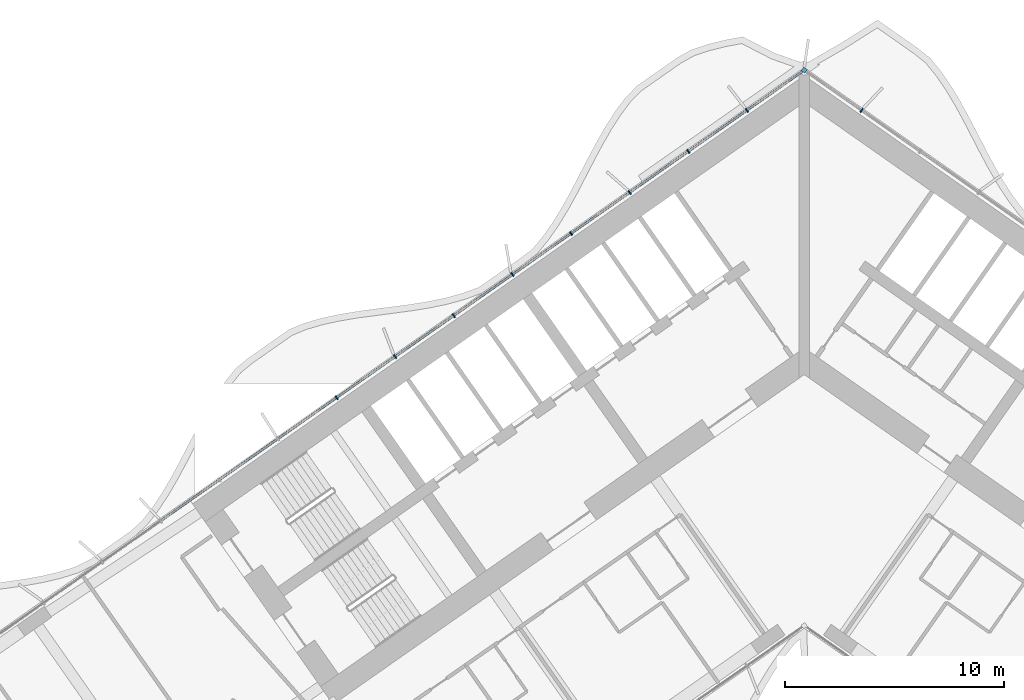
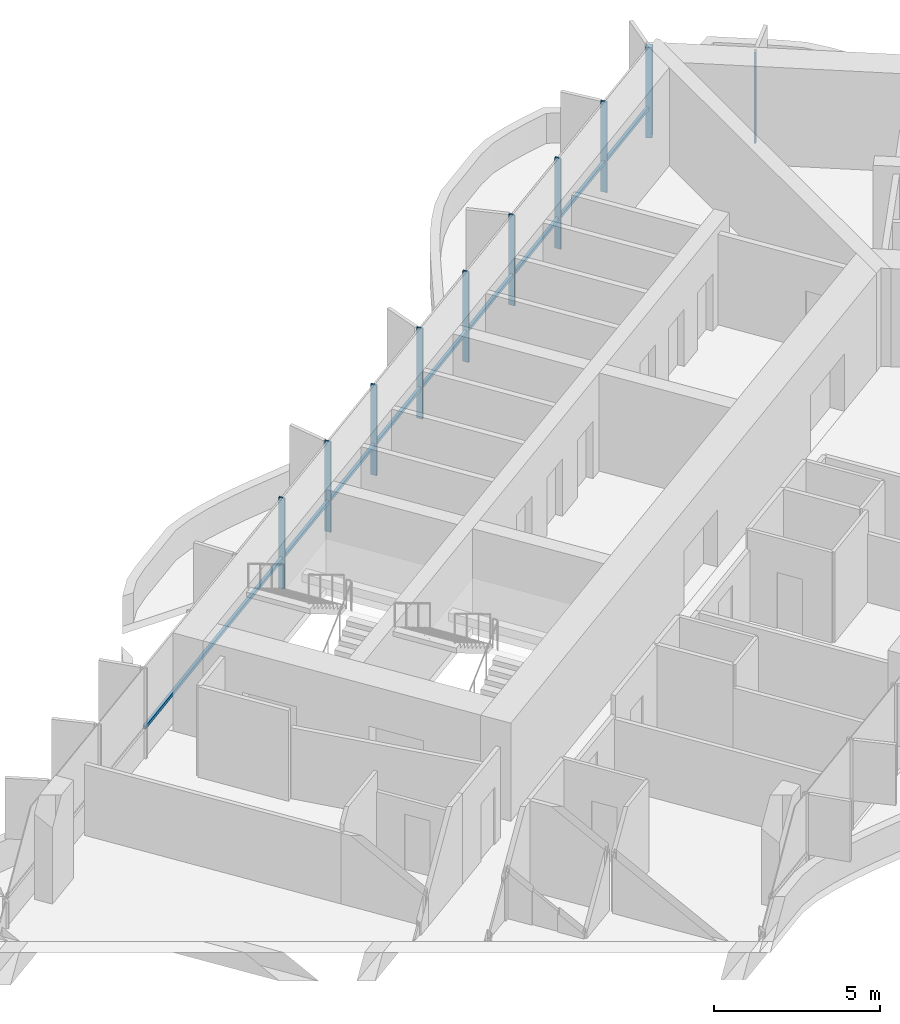
# One storey, part 7 of 25: 11 members, 1 element without a shape of its own.
"""IFC4 building model written with IfcOpenShell, lengths in metres."""

from ifc_helpers import new_model, si_unit, direction, frame, origin, origin_2d, place, context, subcontext, project, spatial, rectangle, extrude, material, material_profile, profile_set, type_object, element, aggregate, save


model = new_model("IFC4")

# Units and contexts
model_context = context("Model", 3, precision=1e-05, world=origin(), true_north=direction((0.0, 1.0)))
body_context = subcontext(model_context, "Body", "Model", "MODEL_VIEW")
ifc_project = project(units=[si_unit("LENGTHUNIT", "METRE"), si_unit("AREAUNIT", "SQUARE_METRE"), si_unit("VOLUMEUNIT", "CUBIC_METRE"), si_unit("PLANEANGLEUNIT", "RADIAN"), si_unit("MASSUNIT", "GRAM", prefix="KILO")], contexts=[model_context])

# Site, building, storey
site_placement = place(None, origin())
site = spatial("IfcSite", under=ifc_project, at=site_placement, CompositionType="ELEMENT")
building_placement = place(site_placement, origin())
building = spatial("IfcBuilding", under=site, at=building_placement, Name="Tel Ilan Convention Tower", CompositionType="ELEMENT")
storey_placement = place(building_placement, frame((0.0, 0.0, 54.5)))
storey = spatial("IfcBuildingStorey", under=building, at=storey_placement, Name="L08", CompositionType="ELEMENT", Elevation=54.5)

# Curtain wall, members
ifc_material_1 = material(Name="Aluminium, bronze anodised", Category="aluminium")
curtain_wall_type = type_object("IfcCurtainWallType", Name="CW2 STICK CURTAIN WALL, SPANDREL PANELS", PredefinedType="NOTDEFINED", material=ifc_material_1)
curtain_wall_placement = place(storey_placement, origin())
curtain_wall = element("IfcCurtainWall", 1, at=curtain_wall_placement, inside=storey, type_object=curtain_wall_type, Name="Curtain wall CW2-11.01", PredefinedType="NOTDEFINED")
ifc_material_2 = material(Name="Aluminium, bronze anodised", Category="aluminium")
ifc_material_profile_1 = material_profile(ifc_material_2, rectangle(XDim=0.199951171875, YDim=0.199951171875, at=origin_2d()), Name="CW CORNER MULLION 200x200")
ifc_profile_set_1 = profile_set([ifc_material_profile_1], Name="Aluminium, bronze anodised")
member_type_1 = type_object("IfcMemberType", Name="CW CORNER MULLION 200x200", PredefinedType="MULLION", material=ifc_profile_set_1)
member_1_placement = place(storey_placement, frame((0.0, 12.696044921875, 0.0), z_axis=(0.0, 0.0, 1.0), x_axis=(-0.819152044289, 0.573576436351, 0.0)))
member_1 = element("IfcMember", 2, at=member_1_placement, type_object=member_type_1, Name="Corner mullion", PredefinedType="MULLION", context=body_context, shape_type="SweptSolid", body=[
    extrude(rectangle(XDim=0.199951171875, YDim=0.199951171875, at=origin_2d()), origin(), (0.0, 0.0, 1.0), 3.320068359375),
])
ifc_material_3 = material(Name="Aluminium, bronze anodised", Category="aluminium")
ifc_material_profile_2 = material_profile(ifc_material_3, rectangle(XDim=0.06005859375, YDim=0.199951171875, at=origin_2d()), Name="CW MULLION 60x200")
ifc_profile_set_2 = profile_set([ifc_material_profile_2], Name="Aluminium, bronze anodised")
member_type_2 = type_object("IfcMemberType", Name="CW MULLION 60x200", PredefinedType="MULLION", material=ifc_profile_set_2)
member_2_placement = place(storey_placement, frame((2.622802734375, 10.859375, 0.0), z_axis=(0.0, 0.0, 1.0), x_axis=(-0.819152044289, 0.573576436351, 0.0)))
member_2 = element("IfcMember", 3, at=member_2_placement, type_object=member_type_2, Name="Mullion", PredefinedType="MULLION", context=body_context, shape_type="SweptSolid", body=[
    extrude(rectangle(XDim=0.06005859375, YDim=0.199951171875, at=origin_2d()), origin(), (0.0, 0.0, 1.0), 3.320068359375),
])
member_3_placement = place(storey_placement, frame((-2.622802734375, 10.859375, 0.0), z_axis=(0.0, 0.0, 1.0), x_axis=(-0.819152044289, -0.573576436351, 0.0)))
member_3 = element("IfcMember", 4, at=member_3_placement, type_object=member_type_2, Name="Mullion", PredefinedType="MULLION", context=body_context, shape_type="SweptSolid", body=[
    extrude(rectangle(XDim=0.06005859375, YDim=0.199951171875, at=origin_2d()), origin(), (0.0, 0.0, 1.0), 3.320068359375),
])
member_4_placement = place(storey_placement, frame((-5.30322265625, 8.982666015625, 0.0), z_axis=(0.0, 0.0, 1.0), x_axis=(-0.819152044289, -0.573576436351, 0.0)))
member_4 = element("IfcMember", 5, at=member_4_placement, type_object=member_type_2, Name="Mullion", PredefinedType="MULLION", context=body_context, shape_type="SweptSolid", body=[
    extrude(rectangle(XDim=0.06005859375, YDim=0.199951171875, at=origin_2d()), origin(), (0.0, 0.0, 1.0), 3.320068359375),
])
member_5_placement = place(storey_placement, frame((-7.9833984375, 7.10595703125, 0.0), z_axis=(0.0, 0.0, 1.0), x_axis=(-0.819152044289, -0.573576436351, 0.0)))
member_5 = element("IfcMember", 6, at=member_5_placement, type_object=member_type_2, Name="Mullion", PredefinedType="MULLION", context=body_context, shape_type="SweptSolid", body=[
    extrude(rectangle(XDim=0.06005859375, YDim=0.199951171875, at=origin_2d()), origin(), (0.0, 0.0, 1.0), 3.320068359375),
])
member_6_placement = place(storey_placement, frame((-10.663818359375, 5.229248046875, 0.0), z_axis=(0.0, 0.0, 1.0), x_axis=(-0.819152044289, -0.573576436351, 0.0)))
member_6 = element("IfcMember", 7, at=member_6_placement, type_object=member_type_2, Name="Mullion", PredefinedType="MULLION", context=body_context, shape_type="SweptSolid", body=[
    extrude(rectangle(XDim=0.06005859375, YDim=0.199951171875, at=origin_2d()), origin(), (0.0, 0.0, 1.0), 3.320068359375),
])
member_7_placement = place(storey_placement, frame((-13.343994140625, 3.3525390625, 0.0), z_axis=(0.0, 0.0, 1.0), x_axis=(-0.819152044289, -0.573576436351, 0.0)))
member_7 = element("IfcMember", 8, at=member_7_placement, type_object=member_type_2, Name="Mullion", PredefinedType="MULLION", context=body_context, shape_type="SweptSolid", body=[
    extrude(rectangle(XDim=0.06005859375, YDim=0.199951171875, at=origin_2d()), origin(), (0.0, 0.0, 1.0), 3.320068359375),
])
member_8_placement = place(storey_placement, frame((-16.024169921875, 1.475830078125, 0.0), z_axis=(0.0, 0.0, 1.0), x_axis=(-0.819152044289, -0.573576436351, 0.0)))
member_8 = element("IfcMember", 9, at=member_8_placement, type_object=member_type_2, Name="Mullion", PredefinedType="MULLION", context=body_context, shape_type="SweptSolid", body=[
    extrude(rectangle(XDim=0.06005859375, YDim=0.199951171875, at=origin_2d()), origin(), (0.0, 0.0, 1.0), 3.320068359375),
])
member_9_placement = place(storey_placement, frame((-18.70458984375, -0.401123046875, 0.0), z_axis=(0.0, 0.0, 1.0), x_axis=(-0.819152044289, -0.573576436351, 0.0)))
member_9 = element("IfcMember", 10, at=member_9_placement, type_object=member_type_2, Name="Mullion", PredefinedType="MULLION", context=body_context, shape_type="SweptSolid", body=[
    extrude(rectangle(XDim=0.06005859375, YDim=0.199951171875, at=origin_2d()), origin(), (0.0, 0.0, 1.0), 3.320068359375),
])
member_10_placement = place(storey_placement, frame((-21.384765625, -2.27783203125, 0.0), z_axis=(0.0, 0.0, 1.0), x_axis=(-0.819152044289, -0.573576436351, 0.0)))
member_10 = element("IfcMember", 11, at=member_10_placement, type_object=member_type_2, Name="Mullion", PredefinedType="MULLION", context=body_context, shape_type="SweptSolid", body=[
    extrude(rectangle(XDim=0.06005859375, YDim=0.199951171875, at=origin_2d()), origin(), (0.0, 0.0, 1.0), 3.320068359375),
])
ifc_material_4 = material(Name="Aluminium, bronze anodised", Category="aluminium")
ifc_material_profile_3 = material_profile(ifc_material_4, rectangle(XDim=0.10009765625, YDim=0.1201171875, at=origin_2d()), Name="CW TRANSOM 100x120")
ifc_profile_set_3 = profile_set([ifc_material_profile_3], Name="Aluminium, bronze anodised")
member_type_3 = type_object("IfcMemberType", Name="CW TRANSOM 100x120", PredefinedType="USERDEFINED", material=ifc_profile_set_3)
member_11_placement = place(storey_placement, frame((-0.1064453125, 12.62158203125, 1.10009765625), z_axis=(-0.81915076999, -0.573578256234, 0.0), x_axis=(0.573578256234, -0.81915076999, 0.0)))
member_11 = element("IfcMember", 12, at=member_11_placement, type_object=member_type_3, Name="Transom", ObjectType="TRANSOM", PredefinedType="USERDEFINED", context=body_context, shape_type="SweptSolid", body=[
    extrude(rectangle(XDim=0.10009765625, YDim=0.1201171875, at=origin_2d()), origin(), (0.0, 0.0, 1.0), 35.76220703125),
])
aggregate(curtain_wall, [member_2, member_1, member_3, member_4, member_5, member_6, member_7, member_8, member_9, member_10, member_11])

save(model, "model.ifc")
